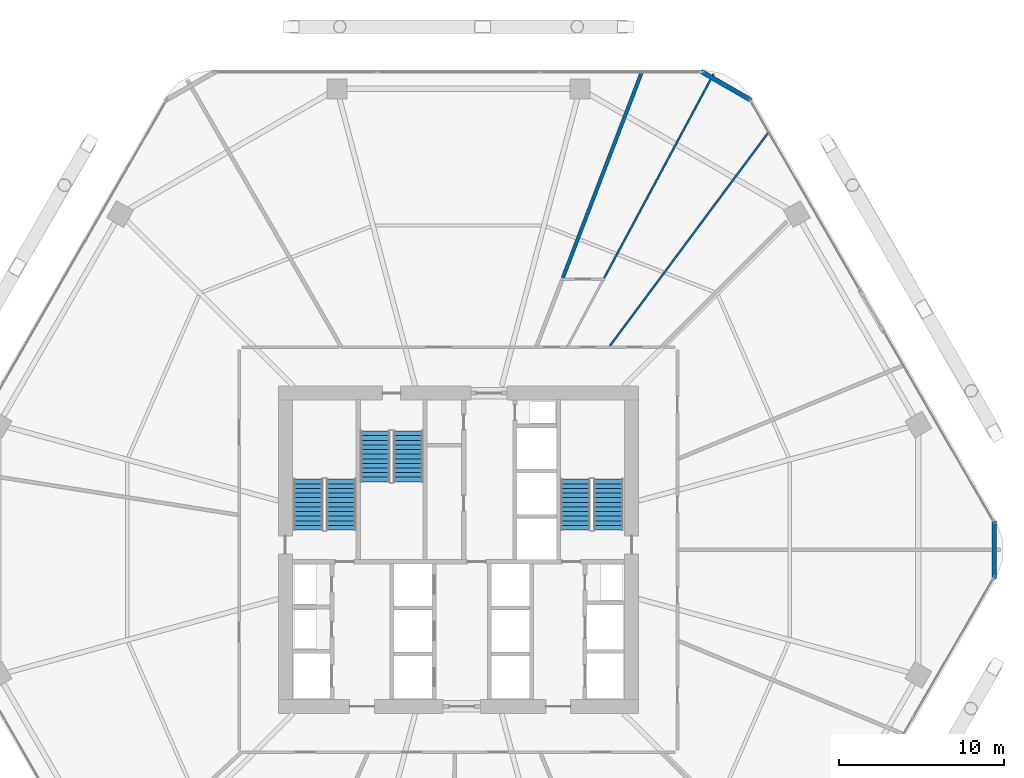
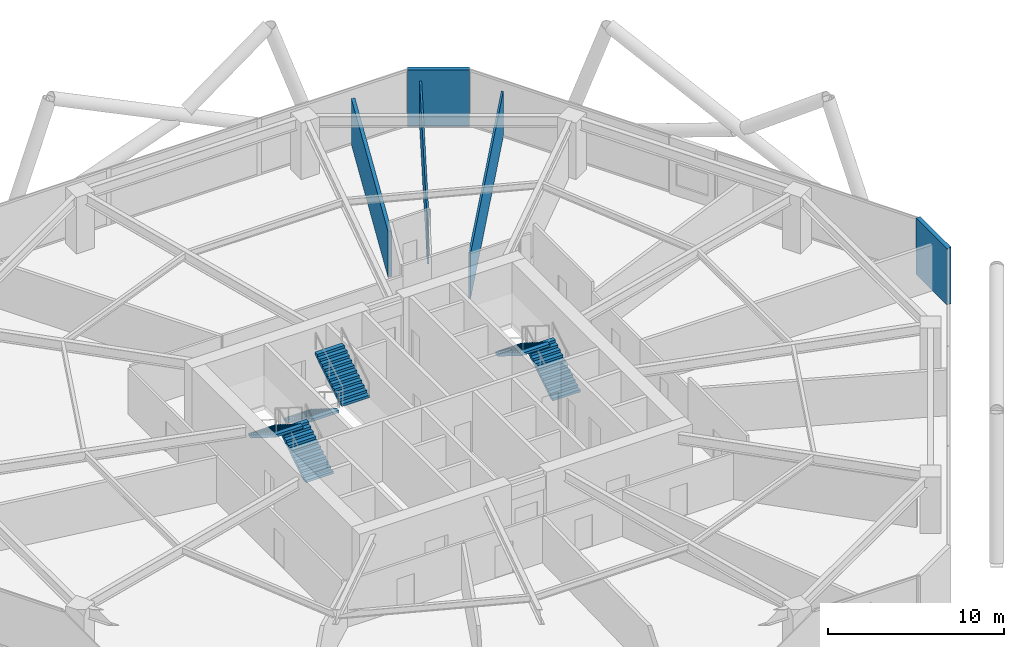
# One storey, part 27 of 28: 6 stair flights, 5 walls, 3 elements without a shape of their own.
"""IFC4 building model written with IfcOpenShell, lengths in metres."""

from ifc_helpers import new_model, si_unit, direction, frame, frame_2d, origin, place, context, subcontext, project, spatial, polyline, rectangle, outline, extrude, material, layer, layer_set, type_object, element, aggregate, save


model = new_model("IFC4")

# Units and contexts
model_context = context("Model", 3, precision=1e-05, world=origin(), true_north=direction((0.0, 1.0)))
body_context = subcontext(model_context, "Body", "Model", "MODEL_VIEW")
ifc_project = project(units=[si_unit("LENGTHUNIT", "METRE"), si_unit("AREAUNIT", "SQUARE_METRE"), si_unit("VOLUMEUNIT", "CUBIC_METRE"), si_unit("PLANEANGLEUNIT", "RADIAN"), si_unit("MASSUNIT", "GRAM", prefix="KILO")], contexts=[model_context])

# Site, building, storey
site_placement = place(None, origin())
site = spatial("IfcSite", under=ifc_project, at=site_placement, CompositionType="ELEMENT")
building_placement = place(site_placement, origin())
building = spatial("IfcBuilding", under=site, at=building_placement, Name="Zuhravey Tower", CompositionType="ELEMENT")
storey_placement = place(building_placement, frame((0.0, 0.0, 75.0)))
storey = spatial("IfcBuildingStorey", under=building, at=storey_placement, Name="L18", CompositionType="ELEMENT", Elevation=75.0)

# Walls
ifc_material_1 = material(Name="Precast concrete C40/50", Category="concrete")
ifc_layer_1 = layer(ifc_material_1, 0.280029296875)
ifc_layer_set_1 = layer_set([ifc_layer_1], Name="Precast concrete C40/50")
wall_type_1 = type_object("IfcWallType", Name="Crown Architectural Wall 280", PredefinedType="SOLIDWALL", material=ifc_layer_set_1)
wall_1_placement = place(storey_placement, frame((50.71728515625, 61.006103515625, 0.0), z_axis=(0.0, 0.0, 1.0), x_axis=(0.866007452331, -0.500031091541, 0.0)))
element("IfcWall", 1, at=wall_1_placement, inside=storey, type_object=wall_type_1, Name="L18 Rounded Corner Closure Wall EW28-10", PredefinedType="SOLIDWALL", context=body_context, shape_type="SweptSolid", body=[
    extrude(rectangle(XDim=3.514892578125, YDim=0.280029296875, at=frame_2d((1.75732421875, 0.0))), origin(), (0.0, 0.0, 1.0), 3.919921875),
])
wall_2_placement = place(storey_placement, frame((68.478515625, 33.757568359375, 0.0), z_axis=(0.0, 0.0, 1.0), x_axis=(0.0, -1.0, 0.0)))
element("IfcWall", 2, at=wall_2_placement, inside=storey, type_object=wall_type_1, Name="L18 Rounded Corner Closure Wall EW28-12", PredefinedType="SOLIDWALL", context=body_context, shape_type="SweptSolid", body=[
    extrude(rectangle(XDim=3.51513671875, YDim=0.280029296875, at=frame_2d((1.757568359375, 0.0))), origin(), (0.0, 0.0, 1.0), 3.919921875),
])
ifc_material_2 = material(Name="Gypsum acoustic stud assembly")
ifc_layer_2 = layer(ifc_material_2, 0.219970703125)
ifc_layer_set_2 = layer_set([ifc_layer_2], Name="Gypsum acoustic stud assembly")
wall_type_2 = type_object("IfcWallType", Name="School Acoustic Compartment Wall 220", PredefinedType="PARTITIONING", material=ifc_layer_set_2)
wall_3_placement = place(storey_placement, frame((42.3310546875, 48.492919921875, 0.0), z_axis=(0.0, 0.0, 1.0), x_axis=(0.358372511013, 0.933578675501, 0.0)))
element("IfcWall", 3, at=wall_3_placement, inside=storey, type_object=wall_type_2, Name="L18 IW22 Partition 047", PredefinedType="PARTITIONING", context=body_context, shape_type="SweptSolid", body=[
    extrude(rectangle(XDim=13.3525390625, YDim=0.219970703125, at=frame_2d((6.67626953125, 0.0))), origin(), (0.0, 0.0, 1.0), 3.169921875),
])
ifc_material_3 = material(Name="Gypsum metal-stud partition")
ifc_layer_3 = layer(ifc_material_3, 0.1201171875)
ifc_layer_set_3 = layer_set([ifc_layer_3], Name="Gypsum metal-stud partition")
wall_type_3 = type_object("IfcWallType", Name="Unit Internal Partition 120", PredefinedType="PARTITIONING", material=ifc_layer_set_3)
wall_4_placement = place(storey_placement, frame((45.18896484375, 44.373046875, 0.0), z_axis=(0.0, 0.0, 1.0), x_axis=(0.596225418148, 0.802817071788, 0.0)))
element("IfcWall", 4, at=wall_4_placement, inside=storey, type_object=wall_type_3, Name="L18 IW12 Partition 043", PredefinedType="PARTITIONING", context=body_context, shape_type="SweptSolid", body=[
    extrude(rectangle(XDim=16.1416015625, YDim=0.1201171875, at=frame_2d((8.07080078125, 0.0))), origin(), (0.0, 0.0, 1.0), 3.169921875),
])
wall_5_placement = place(storey_placement, frame((44.843505859375, 48.492919921875, 0.0), z_axis=(0.0, 0.0, 1.0), x_axis=(0.472553457508, 0.881302008279, 0.0)))
element("IfcWall", 5, at=wall_5_placement, inside=storey, type_object=wall_type_3, Name="L18 IW12 Partition 045", PredefinedType="PARTITIONING", context=body_context, shape_type="SweptSolid", body=[
    extrude(rectangle(XDim=14.015869140625, YDim=0.1201171875, at=frame_2d((7.0078125, 0.0))), origin(), (0.0, 0.0, 1.0), 3.169921875),
])

# Stair, stair flights
ifc_material_4 = material(Name="Concrete C40/50", Category="concrete")
stair_type = type_object("IfcStairType", Name="School Storey Stair Assembly 4200", PredefinedType="HALF_TURN_STAIR", material=ifc_material_4)
stair_1_placement = place(storey_placement, origin())
stair_1 = element("IfcStair", 6, at=stair_1_placement, inside=storey, type_object=stair_type, Name="L18 Core Exit Stair ST1", PredefinedType="HALF_TURN_STAIR")
stair_flight_type = type_object("IfcStairFlightType", Name="School Storey Stair Flight 4200", PredefinedType="STRAIGHT", material=ifc_material_4)
stair_flight_1_placement = place(storey_placement, frame((28.89990234375, 33.199951171875, 0.0), z_axis=(0.0, 0.0, 1.0), x_axis=(0.0, 1.0, 0.0)))
stair_flight_1 = element("IfcStairFlight", 7, at=stair_flight_1_placement, type_object=stair_flight_type, Name="ST1 flight 1", NumberOfRisers=12, NumberOfTreads=11, PredefinedType="STRAIGHT", RiserHeight=0.175, TreadLength=0.28, context=body_context, shape_type="SweptSolid", body=[
    extrude(outline(polyline([(0.0, 0.0), (0.0, 0.175048828125), (0.280029296875, 0.175048828125), (0.280029296875, 0.35009765625), (0.56005859375, 0.35009765625), (0.56005859375, 0.52490234375), (0.840087890625, 0.52490234375), (0.840087890625, 0.699951171875), (1.1201171875, 0.699951171875), (1.1201171875, 0.875), (1.39990234375, 0.875), (1.39990234375, 1.050048828125), (1.679931640625, 1.050048828125), (1.679931640625, 1.22509765625), (1.9599609375, 1.22509765625), (1.9599609375, 1.39990234375), (2.239990234375, 1.39990234375), (2.239990234375, 1.574951171875), (2.52001953125, 1.574951171875), (2.52001953125, 1.75), (2.800048828125, 1.75), (2.800048828125, 1.925048828125), (3.080078125, 1.925048828125), (3.080078125, 2.10009765625), (3.080078125, 1.748291015625), (0.28271484375, 0.0), (0.0, 0.0)])), frame((0.0, 0.89990234375, 0.0), z_axis=(0.0, -1.0, 0.0), x_axis=(1.0, 0.0, 0.0)), (0.0, 0.0, 1.0), 1.800048828125),
])
stair_flight_2_placement = place(storey_placement, frame((26.89990234375, 36.280029296875, 2.10009765625), z_axis=(0.0, 0.0, 1.0), x_axis=(0.0, -1.0, 0.0)))
stair_flight_2 = element("IfcStairFlight", 8, at=stair_flight_2_placement, type_object=stair_flight_type, Name="ST1 flight 2", NumberOfRisers=12, NumberOfTreads=11, PredefinedType="STRAIGHT", RiserHeight=0.175, TreadLength=0.28, context=body_context, shape_type="SweptSolid", body=[
    extrude(outline(polyline([(0.0, 0.0), (0.0, 0.175048828125), (0.280029296875, 0.175048828125), (0.280029296875, 0.35009765625), (0.56005859375, 0.35009765625), (0.56005859375, 0.52490234375), (0.840087890625, 0.52490234375), (0.840087890625, 0.699951171875), (1.1201171875, 0.699951171875), (1.1201171875, 0.875), (1.39990234375, 0.875), (1.39990234375, 1.050048828125), (1.679931640625, 1.050048828125), (1.679931640625, 1.22509765625), (1.9599609375, 1.22509765625), (1.9599609375, 1.39990234375), (2.239990234375, 1.39990234375), (2.239990234375, 1.574951171875), (2.52001953125, 1.574951171875), (2.52001953125, 1.75), (2.800048828125, 1.75), (2.800048828125, 1.925048828125), (3.080078125, 1.925048828125), (3.080078125, 2.10009765625), (3.080078125, 1.748291015625), (0.28271484375, 0.0), (0.0, 0.0)])), frame((0.0, 0.89990234375, 0.0), z_axis=(0.0, -1.0, 0.0), x_axis=(1.0, 0.0, 0.0)), (0.0, 0.0, 1.0), 1.800048828125),
])
aggregate(stair_1, [stair_flight_1, stair_flight_2])

stair_2_placement = place(storey_placement, origin())
stair_2 = element("IfcStair", 9, at=stair_2_placement, inside=storey, type_object=stair_type, Name="L18 Core Exit Stair ST2", PredefinedType="HALF_TURN_STAIR")
stair_flight_3_placement = place(storey_placement, frame((45.10009765625, 33.199951171875, 0.0), z_axis=(0.0, 0.0, 1.0), x_axis=(0.0, 1.0, 0.0)))
stair_flight_3 = element("IfcStairFlight", 10, at=stair_flight_3_placement, type_object=stair_flight_type, Name="ST2 flight 1", NumberOfRisers=12, NumberOfTreads=11, PredefinedType="STRAIGHT", RiserHeight=0.175, TreadLength=0.28, context=body_context, shape_type="SweptSolid", body=[
    extrude(outline(polyline([(0.0, 0.0), (0.0, 0.175048828125), (0.280029296875, 0.175048828125), (0.280029296875, 0.35009765625), (0.56005859375, 0.35009765625), (0.56005859375, 0.52490234375), (0.840087890625, 0.52490234375), (0.840087890625, 0.699951171875), (1.1201171875, 0.699951171875), (1.1201171875, 0.875), (1.39990234375, 0.875), (1.39990234375, 1.050048828125), (1.679931640625, 1.050048828125), (1.679931640625, 1.22509765625), (1.9599609375, 1.22509765625), (1.9599609375, 1.39990234375), (2.239990234375, 1.39990234375), (2.239990234375, 1.574951171875), (2.52001953125, 1.574951171875), (2.52001953125, 1.75), (2.800048828125, 1.75), (2.800048828125, 1.925048828125), (3.080078125, 1.925048828125), (3.080078125, 2.10009765625), (3.080078125, 1.748291015625), (0.28271484375, 0.0), (0.0, 0.0)])), frame((0.0, 0.89990234375, 0.0), z_axis=(0.0, -1.0, 0.0), x_axis=(1.0, 0.0, 0.0)), (0.0, 0.0, 1.0), 1.800048828125),
])
stair_flight_4_placement = place(storey_placement, frame((43.10009765625, 36.280029296875, 2.10009765625), z_axis=(0.0, 0.0, 1.0), x_axis=(0.0, -1.0, 0.0)))
stair_flight_4 = element("IfcStairFlight", 11, at=stair_flight_4_placement, type_object=stair_flight_type, Name="ST2 flight 2", NumberOfRisers=12, NumberOfTreads=11, PredefinedType="STRAIGHT", RiserHeight=0.175, TreadLength=0.28, context=body_context, shape_type="SweptSolid", body=[
    extrude(outline(polyline([(0.0, 0.0), (0.0, 0.175048828125), (0.280029296875, 0.175048828125), (0.280029296875, 0.35009765625), (0.56005859375, 0.35009765625), (0.56005859375, 0.52490234375), (0.840087890625, 0.52490234375), (0.840087890625, 0.699951171875), (1.1201171875, 0.699951171875), (1.1201171875, 0.875), (1.39990234375, 0.875), (1.39990234375, 1.050048828125), (1.679931640625, 1.050048828125), (1.679931640625, 1.22509765625), (1.9599609375, 1.22509765625), (1.9599609375, 1.39990234375), (2.239990234375, 1.39990234375), (2.239990234375, 1.574951171875), (2.52001953125, 1.574951171875), (2.52001953125, 1.75), (2.800048828125, 1.75), (2.800048828125, 1.925048828125), (3.080078125, 1.925048828125), (3.080078125, 2.10009765625), (3.080078125, 1.748291015625), (0.28271484375, 0.0), (0.0, 0.0)])), frame((0.0, 0.89990234375, 0.0), z_axis=(0.0, -1.0, 0.0), x_axis=(1.0, 0.0, 0.0)), (0.0, 0.0, 1.0), 1.800048828125),
])
aggregate(stair_2, [stair_flight_3, stair_flight_4])

stair_3_placement = place(storey_placement, origin())
stair_3 = element("IfcStair", 12, at=stair_3_placement, inside=storey, type_object=stair_type, Name="L18 Core Exit Stair ST3", PredefinedType="HALF_TURN_STAIR")
stair_flight_5_placement = place(storey_placement, frame((30.949951171875, 39.199951171875, 0.0), z_axis=(0.0, 0.0, 1.0), x_axis=(0.0, -1.0, 0.0)))
stair_flight_5 = element("IfcStairFlight", 13, at=stair_flight_5_placement, type_object=stair_flight_type, Name="ST3 flight 1", NumberOfRisers=12, NumberOfTreads=11, PredefinedType="STRAIGHT", RiserHeight=0.175, TreadLength=0.28, context=body_context, shape_type="SweptSolid", body=[
    extrude(outline(polyline([(0.0, 0.0), (0.0, 0.175048828125), (0.280029296875, 0.175048828125), (0.280029296875, 0.35009765625), (0.56005859375, 0.35009765625), (0.56005859375, 0.52490234375), (0.840087890625, 0.52490234375), (0.840087890625, 0.699951171875), (1.1201171875, 0.699951171875), (1.1201171875, 0.875), (1.39990234375, 0.875), (1.39990234375, 1.050048828125), (1.679931640625, 1.050048828125), (1.679931640625, 1.22509765625), (1.9599609375, 1.22509765625), (1.9599609375, 1.39990234375), (2.239990234375, 1.39990234375), (2.239990234375, 1.574951171875), (2.52001953125, 1.574951171875), (2.52001953125, 1.75), (2.800048828125, 1.75), (2.800048828125, 1.925048828125), (3.080078125, 1.925048828125), (3.080078125, 2.10009765625), (3.080078125, 1.748291015625), (0.28271484375, 0.0), (0.0, 0.0)])), frame((0.0, 0.89990234375, 0.0), z_axis=(0.0, -1.0, 0.0), x_axis=(1.0, 0.0, 0.0)), (0.0, 0.0, 1.0), 1.800048828125),
])
stair_flight_6_placement = place(storey_placement, frame((32.949951171875, 36.1201171875, 2.10009765625), z_axis=(0.0, 0.0, 1.0), x_axis=(0.0, 1.0, 0.0)))
stair_flight_6 = element("IfcStairFlight", 14, at=stair_flight_6_placement, type_object=stair_flight_type, Name="ST3 flight 2", NumberOfRisers=12, NumberOfTreads=11, PredefinedType="STRAIGHT", RiserHeight=0.175, TreadLength=0.28, context=body_context, shape_type="SweptSolid", body=[
    extrude(outline(polyline([(0.0, 0.0), (0.0, 0.175048828125), (0.280029296875, 0.175048828125), (0.280029296875, 0.35009765625), (0.56005859375, 0.35009765625), (0.56005859375, 0.52490234375), (0.840087890625, 0.52490234375), (0.840087890625, 0.699951171875), (1.1201171875, 0.699951171875), (1.1201171875, 0.875), (1.39990234375, 0.875), (1.39990234375, 1.050048828125), (1.679931640625, 1.050048828125), (1.679931640625, 1.22509765625), (1.9599609375, 1.22509765625), (1.9599609375, 1.39990234375), (2.239990234375, 1.39990234375), (2.239990234375, 1.574951171875), (2.52001953125, 1.574951171875), (2.52001953125, 1.75), (2.800048828125, 1.75), (2.800048828125, 1.925048828125), (3.080078125, 1.925048828125), (3.080078125, 2.10009765625), (3.080078125, 1.748291015625), (0.28271484375, 0.0), (0.0, 0.0)])), frame((0.0, 0.89990234375, 0.0), z_axis=(0.0, -1.0, 0.0), x_axis=(1.0, 0.0, 0.0)), (0.0, 0.0, 1.0), 1.800048828125),
])
aggregate(stair_3, [stair_flight_5, stair_flight_6])

save(model, "model.ifc")
